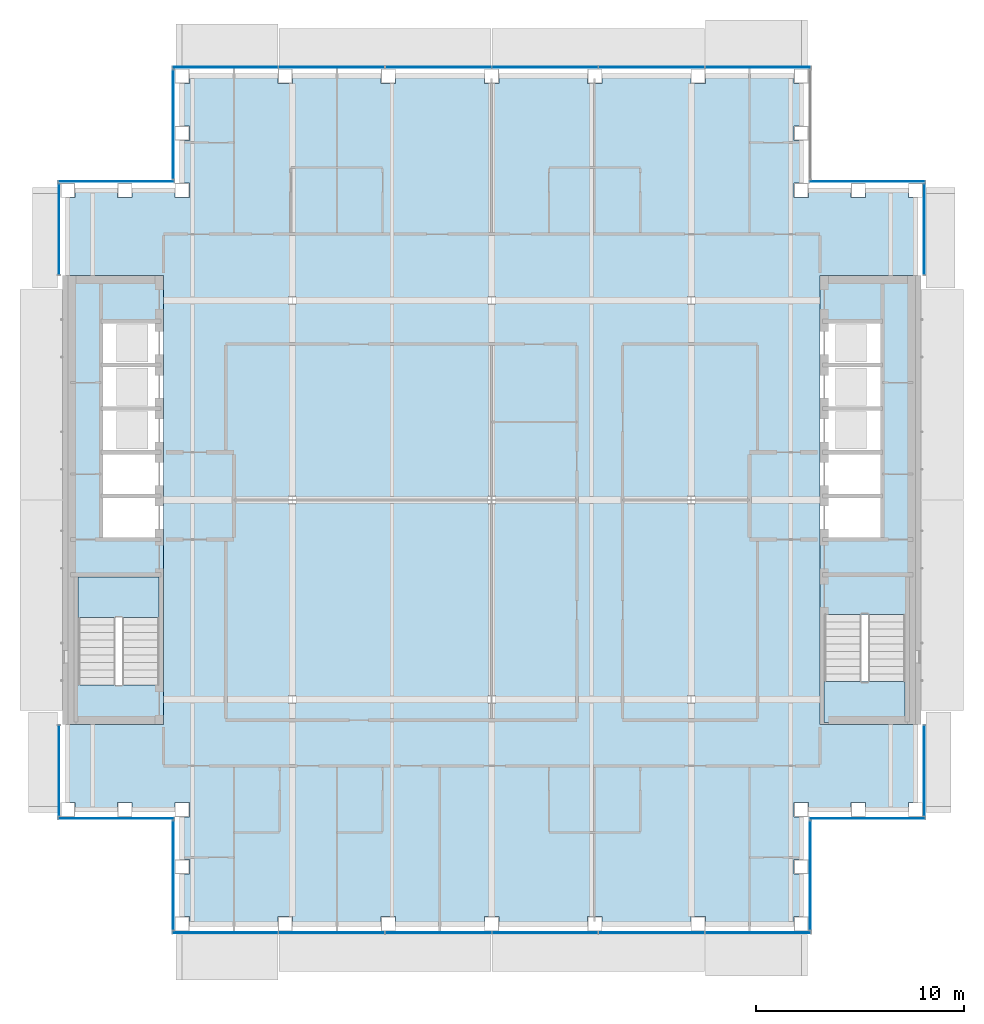
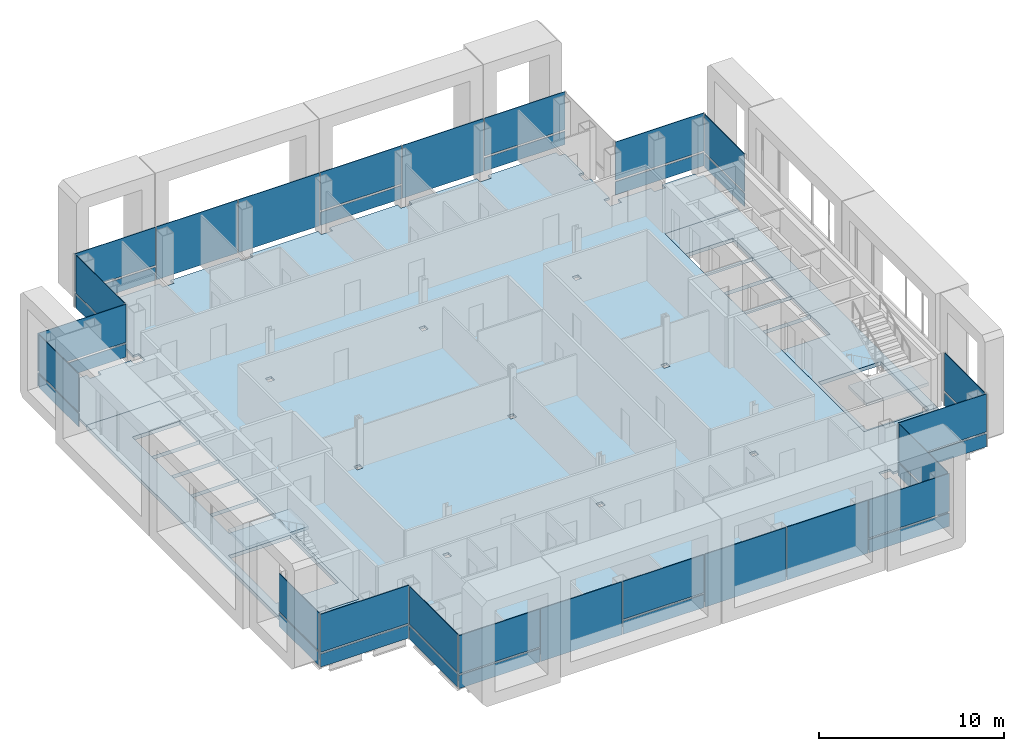
# One storey, part 8 of 19: 40 plates, 5 slabs, 15 elements without a shape of their own.
"""IFC4 building model written with IfcOpenShell, lengths in metres."""

from ifc_helpers import new_model, si_unit, direction, frame, origin, origin_2d, place, context, subcontext, project, spatial, polyline, rectangle, outline, extrude, material, layer, layer_set, type_object, element, aggregate, save


model = new_model("IFC4")

# Units and contexts
model_context = context("Model", 3, precision=1e-05, world=origin(), true_north=direction((0.0, 1.0)))
body_context = subcontext(model_context, "Body", "Model", "MODEL_VIEW")
ifc_project = project(units=[si_unit("LENGTHUNIT", "METRE"), si_unit("AREAUNIT", "SQUARE_METRE"), si_unit("VOLUMEUNIT", "CUBIC_METRE"), si_unit("PLANEANGLEUNIT", "RADIAN"), si_unit("MASSUNIT", "GRAM", prefix="KILO")], contexts=[model_context])

# Site, building, storey
site_placement = place(None, origin())
site = spatial("IfcSite", under=ifc_project, at=site_placement, CompositionType="ELEMENT")
building_placement = place(site_placement, origin())
building = spatial("IfcBuilding", under=site, at=building_placement, Name="Cobrizo Arcos Hotel Tower", CompositionType="ELEMENT")
storey_placement = place(building_placement, frame((0.0, 0.0, 198.0)))
storey = spatial("IfcBuildingStorey", under=building, at=storey_placement, Name="L51", CompositionType="ELEMENT", Elevation=198.0)

# Curtain wall, plates
ifc_material_1 = material(Name="Aluminium 6063-T6 anodised bronze", Category="aluminium")
curtain_wall_type = type_object("IfcCurtainWallType", Name="CW-A guest facade", PredefinedType="NOTDEFINED", material=ifc_material_1)
curtain_wall_1_placement = place(storey_placement, origin())
curtain_wall_1 = element("IfcCurtainWall", 1, at=curtain_wall_1_placement, inside=storey, type_object=curtain_wall_type, Name="CW-A L51 S face", PredefinedType="NOTDEFINED")
ifc_material_2 = material(Name="Glass clear laminated low-e", Category="glass")
ifc_layer_1 = layer(ifc_material_2, 0.0400390625)
ifc_layer_set_1 = layer_set([ifc_layer_1], Name="CW-A glass panel")
plate_type_1 = type_object("IfcPlateType", Name="CW-A glass panel", PredefinedType="CURTAIN_PANEL", material=ifc_layer_set_1)
plate_1_placement = place(storey_placement, frame((-12.818359375, -20.824951171875, 0.990234375), z_axis=(0.0, 0.0, 1.0), x_axis=(1.0, 0.0, 0.0)))
plate_1 = element("IfcPlate", 2, at=plate_1_placement, type_object=plate_type_1, Name="CW-A glass panel 1744", PredefinedType="CURTAIN_PANEL", context=body_context, shape_type="SweptSolid", body=[
    extrude(rectangle(XDim=5.043212890625, YDim=0.0400390625, at=origin_2d()), origin(), (0.0, 0.0, 1.0), 2.510009765625),
])
plate_2_placement = place(storey_placement, frame((-2.566650390625, -20.824951171875, 0.990234375), z_axis=(0.0, 0.0, 1.0), x_axis=(1.0, 0.0, 0.0)))
plate_2 = element("IfcPlate", 3, at=plate_2_placement, type_object=plate_type_1, Name="CW-A glass panel 1746", PredefinedType="CURTAIN_PANEL", context=body_context, shape_type="SweptSolid", body=[
    extrude(rectangle(XDim=5.0732421875, YDim=0.0400390625, at=origin_2d()), origin(), (0.0, 0.0, 1.0), 2.510009765625),
])
plate_3_placement = place(storey_placement, frame((12.818359375, -20.824951171875, 0.990234375), z_axis=(0.0, 0.0, 1.0), x_axis=(1.0, 0.0, 0.0)))
plate_3 = element("IfcPlate", 4, at=plate_3_placement, type_object=plate_type_1, Name="CW-A glass panel 1749", PredefinedType="CURTAIN_PANEL", context=body_context, shape_type="SweptSolid", body=[
    extrude(rectangle(XDim=5.043212890625, YDim=0.0400390625, at=origin_2d()), origin(), (0.0, 0.0, 1.0), 2.510009765625),
])

# Curtain wall, plate
curtain_wall_2_placement = place(storey_placement, origin())
curtain_wall_2 = element("IfcCurtainWall", 5, at=curtain_wall_2_placement, inside=storey, type_object=curtain_wall_type, Name="CW-A L51 E face", PredefinedType="NOTDEFINED")
plate_4_placement = place(storey_placement, frame((15.324951171875, -18.074951171875, 0.990234375), z_axis=(0.0, 0.0, 1.0), x_axis=(0.0, 1.0, 0.0)))
plate_4 = element("IfcPlate", 6, at=plate_4_placement, type_object=plate_type_1, Name="CW-A glass panel 1750", PredefinedType="CURTAIN_PANEL", context=body_context, shape_type="SweptSolid", body=[
    extrude(rectangle(XDim=5.22998046875, YDim=0.0400390625, at=origin_2d()), origin(), (0.0, 0.0, 1.0), 2.510009765625),
])

curtain_wall_3_placement = place(storey_placement, origin())
curtain_wall_3 = element("IfcCurtainWall", 7, at=curtain_wall_3_placement, inside=storey, type_object=curtain_wall_type, Name="CW-A L51 S face", PredefinedType="NOTDEFINED")
plate_5_placement = place(storey_placement, frame((18.074951171875, -15.324951171875, 0.990234375), z_axis=(0.0, 0.0, 1.0), x_axis=(1.0, 0.0, 0.0)))
plate_5 = element("IfcPlate", 8, at=plate_5_placement, type_object=plate_type_1, Name="CW-A glass panel 1751", PredefinedType="CURTAIN_PANEL", context=body_context, shape_type="SweptSolid", body=[
    extrude(rectangle(XDim=5.530029296875, YDim=0.0400390625, at=origin_2d()), origin(), (0.0, 0.0, 1.0), 2.510009765625),
])

curtain_wall_4_placement = place(storey_placement, origin())
curtain_wall_4 = element("IfcCurtainWall", 9, at=curtain_wall_4_placement, inside=storey, type_object=curtain_wall_type, Name="CW-A L51 E face", PredefinedType="NOTDEFINED")
plate_6_placement = place(storey_placement, frame((20.824951171875, -13.02490234375, 0.990234375), z_axis=(0.0, 0.0, 1.0), x_axis=(0.0, 1.0, 0.0)))
plate_6 = element("IfcPlate", 10, at=plate_6_placement, type_object=plate_type_1, Name="CW-A glass panel 1752", PredefinedType="CURTAIN_PANEL", context=body_context, shape_type="SweptSolid", body=[
    extrude(rectangle(XDim=4.330078125, YDim=0.0400390625, at=origin_2d()), origin(), (0.0, 0.0, 1.0), 2.510009765625),
])

curtain_wall_5_placement = place(storey_placement, origin())
curtain_wall_5 = element("IfcCurtainWall", 11, at=curtain_wall_5_placement, inside=storey, type_object=curtain_wall_type, Name="CW-A L51 E face", PredefinedType="NOTDEFINED")
plate_7_placement = place(storey_placement, frame((20.824951171875, 13.02490234375, 0.990234375), z_axis=(0.0, 0.0, 1.0), x_axis=(0.0, 1.0, 0.0)))
plate_7 = element("IfcPlate", 12, at=plate_7_placement, type_object=plate_type_1, Name="CW-A glass panel 1753", PredefinedType="CURTAIN_PANEL", context=body_context, shape_type="SweptSolid", body=[
    extrude(rectangle(XDim=4.330078125, YDim=0.0400390625, at=origin_2d()), origin(), (0.0, 0.0, 1.0), 2.510009765625),
])

curtain_wall_6_placement = place(storey_placement, origin())
curtain_wall_6 = element("IfcCurtainWall", 13, at=curtain_wall_6_placement, inside=storey, type_object=curtain_wall_type, Name="CW-A L51 N face", PredefinedType="NOTDEFINED")
plate_8_placement = place(storey_placement, frame((18.074951171875, 15.324951171875, 0.990234375), z_axis=(0.0, 0.0, 1.0), x_axis=(-1.0, 0.0, 0.0)))
plate_8 = element("IfcPlate", 14, at=plate_8_placement, type_object=plate_type_1, Name="CW-A glass panel 1754", PredefinedType="CURTAIN_PANEL", context=body_context, shape_type="SweptSolid", body=[
    extrude(rectangle(XDim=5.530029296875, YDim=0.0400390625, at=origin_2d()), origin(), (0.0, 0.0, 1.0), 2.510009765625),
])

# Curtain wall, plates
curtain_wall_7_placement = place(storey_placement, origin())
curtain_wall_7 = element("IfcCurtainWall", 15, at=curtain_wall_7_placement, inside=storey, type_object=curtain_wall_type, Name="CW-A L51 N face", PredefinedType="NOTDEFINED")
plate_9_placement = place(storey_placement, frame((12.818359375, 20.824951171875, 0.990234375), z_axis=(0.0, 0.0, 1.0), x_axis=(-1.0, 0.0, 0.0)))
plate_9 = element("IfcPlate", 16, at=plate_9_placement, type_object=plate_type_1, Name="CW-A glass panel 1756", PredefinedType="CURTAIN_PANEL", context=body_context, shape_type="SweptSolid", body=[
    extrude(rectangle(XDim=5.043212890625, YDim=0.0400390625, at=origin_2d()), origin(), (0.0, 0.0, 1.0), 2.510009765625),
])
plate_10_placement = place(storey_placement, frame((2.566650390625, 20.824951171875, 0.990234375), z_axis=(0.0, 0.0, 1.0), x_axis=(-1.0, 0.0, 0.0)))
plate_10 = element("IfcPlate", 17, at=plate_10_placement, type_object=plate_type_1, Name="CW-A glass panel 1758", PredefinedType="CURTAIN_PANEL", context=body_context, shape_type="SweptSolid", body=[
    extrude(rectangle(XDim=5.0732421875, YDim=0.0400390625, at=origin_2d()), origin(), (0.0, 0.0, 1.0), 2.510009765625),
])
plate_11_placement = place(storey_placement, frame((-12.818359375, 20.824951171875, 0.990234375), z_axis=(0.0, 0.0, 1.0), x_axis=(-1.0, 0.0, 0.0)))
plate_11 = element("IfcPlate", 18, at=plate_11_placement, type_object=plate_type_1, Name="CW-A glass panel 1761", PredefinedType="CURTAIN_PANEL", context=body_context, shape_type="SweptSolid", body=[
    extrude(rectangle(XDim=5.043212890625, YDim=0.0400390625, at=origin_2d()), origin(), (0.0, 0.0, 1.0), 2.510009765625),
])

# Curtain wall, plate
curtain_wall_8_placement = place(storey_placement, origin())
curtain_wall_8 = element("IfcCurtainWall", 19, at=curtain_wall_8_placement, inside=storey, type_object=curtain_wall_type, Name="CW-A L51 W face", PredefinedType="NOTDEFINED")
plate_12_placement = place(storey_placement, frame((-15.324951171875, 18.074951171875, 0.990234375), z_axis=(0.0, 0.0, 1.0), x_axis=(0.0, -1.0, 0.0)))
plate_12 = element("IfcPlate", 20, at=plate_12_placement, type_object=plate_type_1, Name="CW-A glass panel 1762", PredefinedType="CURTAIN_PANEL", context=body_context, shape_type="SweptSolid", body=[
    extrude(rectangle(XDim=5.22998046875, YDim=0.0400390625, at=origin_2d()), origin(), (0.0, 0.0, 1.0), 2.510009765625),
])

curtain_wall_9_placement = place(storey_placement, origin())
curtain_wall_9 = element("IfcCurtainWall", 21, at=curtain_wall_9_placement, inside=storey, type_object=curtain_wall_type, Name="CW-A L51 N face", PredefinedType="NOTDEFINED")
plate_13_placement = place(storey_placement, frame((-18.074951171875, 15.324951171875, 0.990234375), z_axis=(0.0, 0.0, 1.0), x_axis=(-1.0, 0.0, 0.0)))
plate_13 = element("IfcPlate", 22, at=plate_13_placement, type_object=plate_type_1, Name="CW-A glass panel 1763", PredefinedType="CURTAIN_PANEL", context=body_context, shape_type="SweptSolid", body=[
    extrude(rectangle(XDim=5.530029296875, YDim=0.0400390625, at=origin_2d()), origin(), (0.0, 0.0, 1.0), 2.510009765625),
])

curtain_wall_10_placement = place(storey_placement, origin())
curtain_wall_10 = element("IfcCurtainWall", 23, at=curtain_wall_10_placement, inside=storey, type_object=curtain_wall_type, Name="CW-A L51 W face", PredefinedType="NOTDEFINED")
plate_14_placement = place(storey_placement, frame((-20.824951171875, 13.02490234375, 0.990234375), z_axis=(0.0, 0.0, 1.0), x_axis=(0.0, -1.0, 0.0)))
plate_14 = element("IfcPlate", 24, at=plate_14_placement, type_object=plate_type_1, Name="CW-A glass panel 1764", PredefinedType="CURTAIN_PANEL", context=body_context, shape_type="SweptSolid", body=[
    extrude(rectangle(XDim=4.330078125, YDim=0.0400390625, at=origin_2d()), origin(), (0.0, 0.0, 1.0), 2.510009765625),
])

curtain_wall_11_placement = place(storey_placement, origin())
curtain_wall_11 = element("IfcCurtainWall", 25, at=curtain_wall_11_placement, inside=storey, type_object=curtain_wall_type, Name="CW-A L51 W face", PredefinedType="NOTDEFINED")
plate_15_placement = place(storey_placement, frame((-20.824951171875, -13.02490234375, 0.990234375), z_axis=(0.0, 0.0, 1.0), x_axis=(0.0, -1.0, 0.0)))
plate_15 = element("IfcPlate", 26, at=plate_15_placement, type_object=plate_type_1, Name="CW-A glass panel 1765", PredefinedType="CURTAIN_PANEL", context=body_context, shape_type="SweptSolid", body=[
    extrude(rectangle(XDim=4.330078125, YDim=0.0400390625, at=origin_2d()), origin(), (0.0, 0.0, 1.0), 2.510009765625),
])

curtain_wall_12_placement = place(storey_placement, origin())
curtain_wall_12 = element("IfcCurtainWall", 27, at=curtain_wall_12_placement, inside=storey, type_object=curtain_wall_type, Name="CW-A L51 S face", PredefinedType="NOTDEFINED")
plate_16_placement = place(storey_placement, frame((-18.074951171875, -15.324951171875, 0.990234375), z_axis=(0.0, 0.0, 1.0), x_axis=(1.0, 0.0, 0.0)))
plate_16 = element("IfcPlate", 28, at=plate_16_placement, type_object=plate_type_1, Name="CW-A glass panel 1766", PredefinedType="CURTAIN_PANEL", context=body_context, shape_type="SweptSolid", body=[
    extrude(rectangle(XDim=5.530029296875, YDim=0.0400390625, at=origin_2d()), origin(), (0.0, 0.0, 1.0), 2.510009765625),
])

curtain_wall_13_placement = place(storey_placement, origin())
curtain_wall_13 = element("IfcCurtainWall", 29, at=curtain_wall_13_placement, inside=storey, type_object=curtain_wall_type, Name="CW-A L51 W face", PredefinedType="NOTDEFINED")
plate_17_placement = place(storey_placement, frame((-15.324951171875, -18.074951171875, 0.990234375), z_axis=(0.0, 0.0, 1.0), x_axis=(0.0, -1.0, 0.0)))
plate_17 = element("IfcPlate", 30, at=plate_17_placement, type_object=plate_type_1, Name="CW-A glass panel 1767", PredefinedType="CURTAIN_PANEL", context=body_context, shape_type="SweptSolid", body=[
    extrude(rectangle(XDim=5.22998046875, YDim=0.0400390625, at=origin_2d()), origin(), (0.0, 0.0, 1.0), 2.510009765625),
])

# Plate
ifc_material_3 = material(Name="Aluminium composite panel pale metal", Category="aluminium")
ifc_layer_2 = layer(ifc_material_3, 0.0400390625)
ifc_layer_set_2 = layer_set([ifc_layer_2], Name="CW-A spandrel panel")
plate_type_2 = type_object("IfcPlateType", Name="CW-A spandrel panel", PredefinedType="CURTAIN_PANEL", material=ifc_layer_set_2)
plate_18_placement = place(storey_placement, frame((-12.818359375, -20.824951171875, 0.0), z_axis=(0.0, 0.0, 1.0), x_axis=(1.0, 0.0, 0.0)))
plate_18 = element("IfcPlate", 31, at=plate_18_placement, type_object=plate_type_2, Name="CW-A spandrel panel 1744", PredefinedType="CURTAIN_PANEL", context=body_context, shape_type="SweptSolid", body=[
    extrude(rectangle(XDim=5.043212890625, YDim=0.0400390625, at=origin_2d()), origin(), (0.0, 0.0, 1.0), 0.8701171875),
])

plate_19_placement = place(storey_placement, frame((-7.699951171875, -20.824951171875, 0.0), z_axis=(0.0, 0.0, 1.0), x_axis=(1.0, 0.0, 0.0)))
plate_19 = element("IfcPlate", 32, at=plate_19_placement, type_object=plate_type_2, Name="CW-A spandrel panel 1745", PredefinedType="CURTAIN_PANEL", context=body_context, shape_type="SweptSolid", body=[
    extrude(rectangle(XDim=5.0732421875, YDim=0.0400390625, at=origin_2d()), origin(), (0.0, 0.0, 1.0), 3.5),
])

plate_20_placement = place(storey_placement, frame((-2.566650390625, -20.824951171875, 0.0), z_axis=(0.0, 0.0, 1.0), x_axis=(1.0, 0.0, 0.0)))
plate_20 = element("IfcPlate", 33, at=plate_20_placement, type_object=plate_type_2, Name="CW-A spandrel panel 1746", PredefinedType="CURTAIN_PANEL", context=body_context, shape_type="SweptSolid", body=[
    extrude(rectangle(XDim=5.0732421875, YDim=0.0400390625, at=origin_2d()), origin(), (0.0, 0.0, 1.0), 0.8701171875),
])

plate_21_placement = place(storey_placement, frame((2.566650390625, -20.824951171875, 0.0), z_axis=(0.0, 0.0, 1.0), x_axis=(1.0, 0.0, 0.0)))
plate_21 = element("IfcPlate", 34, at=plate_21_placement, type_object=plate_type_2, Name="CW-A spandrel panel 1747", PredefinedType="CURTAIN_PANEL", context=body_context, shape_type="SweptSolid", body=[
    extrude(rectangle(XDim=5.0732421875, YDim=0.0400390625, at=origin_2d()), origin(), (0.0, 0.0, 1.0), 3.5),
])

plate_22_placement = place(storey_placement, frame((7.699951171875, -20.824951171875, 0.0), z_axis=(0.0, 0.0, 1.0), x_axis=(1.0, 0.0, 0.0)))
plate_22 = element("IfcPlate", 35, at=plate_22_placement, type_object=plate_type_2, Name="CW-A spandrel panel 1748", PredefinedType="CURTAIN_PANEL", context=body_context, shape_type="SweptSolid", body=[
    extrude(rectangle(XDim=5.0732421875, YDim=0.0400390625, at=origin_2d()), origin(), (0.0, 0.0, 1.0), 3.5),
])

plate_23_placement = place(storey_placement, frame((12.818359375, -20.824951171875, 0.0), z_axis=(0.0, 0.0, 1.0), x_axis=(1.0, 0.0, 0.0)))
plate_23 = element("IfcPlate", 36, at=plate_23_placement, type_object=plate_type_2, Name="CW-A spandrel panel 1749", PredefinedType="CURTAIN_PANEL", context=body_context, shape_type="SweptSolid", body=[
    extrude(rectangle(XDim=5.043212890625, YDim=0.0400390625, at=origin_2d()), origin(), (0.0, 0.0, 1.0), 0.8701171875),
])

aggregate(curtain_wall_1, [plate_18, plate_1, plate_19, plate_20, plate_2, plate_21, plate_22, plate_23, plate_3])

plate_24_placement = place(storey_placement, frame((15.324951171875, -18.074951171875, 0.0), z_axis=(0.0, 0.0, 1.0), x_axis=(0.0, 1.0, 0.0)))
plate_24 = element("IfcPlate", 37, at=plate_24_placement, type_object=plate_type_2, Name="CW-A spandrel panel 1750", PredefinedType="CURTAIN_PANEL", context=body_context, shape_type="SweptSolid", body=[
    extrude(rectangle(XDim=5.22998046875, YDim=0.0400390625, at=origin_2d()), origin(), (0.0, 0.0, 1.0), 0.8701171875),
])

aggregate(curtain_wall_2, [plate_24, plate_4])

plate_25_placement = place(storey_placement, frame((18.074951171875, -15.324951171875, 0.0), z_axis=(0.0, 0.0, 1.0), x_axis=(1.0, 0.0, 0.0)))
plate_25 = element("IfcPlate", 38, at=plate_25_placement, type_object=plate_type_2, Name="CW-A spandrel panel 1751", PredefinedType="CURTAIN_PANEL", context=body_context, shape_type="SweptSolid", body=[
    extrude(rectangle(XDim=5.530029296875, YDim=0.0400390625, at=origin_2d()), origin(), (0.0, 0.0, 1.0), 0.8701171875),
])

aggregate(curtain_wall_3, [plate_25, plate_5])

plate_26_placement = place(storey_placement, frame((20.824951171875, -13.02490234375, 0.0), z_axis=(0.0, 0.0, 1.0), x_axis=(0.0, 1.0, 0.0)))
plate_26 = element("IfcPlate", 39, at=plate_26_placement, type_object=plate_type_2, Name="CW-A spandrel panel 1752", PredefinedType="CURTAIN_PANEL", context=body_context, shape_type="SweptSolid", body=[
    extrude(rectangle(XDim=4.330078125, YDim=0.0400390625, at=origin_2d()), origin(), (0.0, 0.0, 1.0), 0.8701171875),
])

aggregate(curtain_wall_4, [plate_26, plate_6])

plate_27_placement = place(storey_placement, frame((20.824951171875, 13.02490234375, 0.0), z_axis=(0.0, 0.0, 1.0), x_axis=(0.0, 1.0, 0.0)))
plate_27 = element("IfcPlate", 40, at=plate_27_placement, type_object=plate_type_2, Name="CW-A spandrel panel 1753", PredefinedType="CURTAIN_PANEL", context=body_context, shape_type="SweptSolid", body=[
    extrude(rectangle(XDim=4.330078125, YDim=0.0400390625, at=origin_2d()), origin(), (0.0, 0.0, 1.0), 0.8701171875),
])

aggregate(curtain_wall_5, [plate_27, plate_7])

plate_28_placement = place(storey_placement, frame((18.074951171875, 15.324951171875, 0.0), z_axis=(0.0, 0.0, 1.0), x_axis=(-1.0, 0.0, 0.0)))
plate_28 = element("IfcPlate", 41, at=plate_28_placement, type_object=plate_type_2, Name="CW-A spandrel panel 1754", PredefinedType="CURTAIN_PANEL", context=body_context, shape_type="SweptSolid", body=[
    extrude(rectangle(XDim=5.530029296875, YDim=0.0400390625, at=origin_2d()), origin(), (0.0, 0.0, 1.0), 0.8701171875),
])

aggregate(curtain_wall_6, [plate_28, plate_8])

plate_29_placement = place(storey_placement, frame((12.818359375, 20.824951171875, 0.0), z_axis=(0.0, 0.0, 1.0), x_axis=(-1.0, 0.0, 0.0)))
plate_29 = element("IfcPlate", 42, at=plate_29_placement, type_object=plate_type_2, Name="CW-A spandrel panel 1756", PredefinedType="CURTAIN_PANEL", context=body_context, shape_type="SweptSolid", body=[
    extrude(rectangle(XDim=5.043212890625, YDim=0.0400390625, at=origin_2d()), origin(), (0.0, 0.0, 1.0), 0.8701171875),
])

plate_30_placement = place(storey_placement, frame((7.699951171875, 20.824951171875, 0.0), z_axis=(0.0, 0.0, 1.0), x_axis=(-1.0, 0.0, 0.0)))
plate_30 = element("IfcPlate", 43, at=plate_30_placement, type_object=plate_type_2, Name="CW-A spandrel panel 1757", PredefinedType="CURTAIN_PANEL", context=body_context, shape_type="SweptSolid", body=[
    extrude(rectangle(XDim=5.0732421875, YDim=0.0400390625, at=origin_2d()), origin(), (0.0, 0.0, 1.0), 3.5),
])

plate_31_placement = place(storey_placement, frame((2.566650390625, 20.824951171875, 0.0), z_axis=(0.0, 0.0, 1.0), x_axis=(-1.0, 0.0, 0.0)))
plate_31 = element("IfcPlate", 44, at=plate_31_placement, type_object=plate_type_2, Name="CW-A spandrel panel 1758", PredefinedType="CURTAIN_PANEL", context=body_context, shape_type="SweptSolid", body=[
    extrude(rectangle(XDim=5.0732421875, YDim=0.0400390625, at=origin_2d()), origin(), (0.0, 0.0, 1.0), 0.8701171875),
])

plate_32_placement = place(storey_placement, frame((-2.566650390625, 20.824951171875, 0.0), z_axis=(0.0, 0.0, 1.0), x_axis=(-1.0, 0.0, 0.0)))
plate_32 = element("IfcPlate", 45, at=plate_32_placement, type_object=plate_type_2, Name="CW-A spandrel panel 1759", PredefinedType="CURTAIN_PANEL", context=body_context, shape_type="SweptSolid", body=[
    extrude(rectangle(XDim=5.0732421875, YDim=0.0400390625, at=origin_2d()), origin(), (0.0, 0.0, 1.0), 3.5),
])

plate_33_placement = place(storey_placement, frame((-7.699951171875, 20.824951171875, 0.0), z_axis=(0.0, 0.0, 1.0), x_axis=(-1.0, 0.0, 0.0)))
plate_33 = element("IfcPlate", 46, at=plate_33_placement, type_object=plate_type_2, Name="CW-A spandrel panel 1760", PredefinedType="CURTAIN_PANEL", context=body_context, shape_type="SweptSolid", body=[
    extrude(rectangle(XDim=5.0732421875, YDim=0.0400390625, at=origin_2d()), origin(), (0.0, 0.0, 1.0), 3.5),
])

plate_34_placement = place(storey_placement, frame((-12.818359375, 20.824951171875, 0.0), z_axis=(0.0, 0.0, 1.0), x_axis=(-1.0, 0.0, 0.0)))
plate_34 = element("IfcPlate", 47, at=plate_34_placement, type_object=plate_type_2, Name="CW-A spandrel panel 1761", PredefinedType="CURTAIN_PANEL", context=body_context, shape_type="SweptSolid", body=[
    extrude(rectangle(XDim=5.043212890625, YDim=0.0400390625, at=origin_2d()), origin(), (0.0, 0.0, 1.0), 0.8701171875),
])

aggregate(curtain_wall_7, [plate_29, plate_9, plate_30, plate_31, plate_10, plate_32, plate_33, plate_34, plate_11])

plate_35_placement = place(storey_placement, frame((-15.324951171875, 18.074951171875, 0.0), z_axis=(0.0, 0.0, 1.0), x_axis=(0.0, -1.0, 0.0)))
plate_35 = element("IfcPlate", 48, at=plate_35_placement, type_object=plate_type_2, Name="CW-A spandrel panel 1762", PredefinedType="CURTAIN_PANEL", context=body_context, shape_type="SweptSolid", body=[
    extrude(rectangle(XDim=5.22998046875, YDim=0.0400390625, at=origin_2d()), origin(), (0.0, 0.0, 1.0), 0.8701171875),
])

aggregate(curtain_wall_8, [plate_35, plate_12])

plate_36_placement = place(storey_placement, frame((-18.074951171875, 15.324951171875, 0.0), z_axis=(0.0, 0.0, 1.0), x_axis=(-1.0, 0.0, 0.0)))
plate_36 = element("IfcPlate", 49, at=plate_36_placement, type_object=plate_type_2, Name="CW-A spandrel panel 1763", PredefinedType="CURTAIN_PANEL", context=body_context, shape_type="SweptSolid", body=[
    extrude(rectangle(XDim=5.530029296875, YDim=0.0400390625, at=origin_2d()), origin(), (0.0, 0.0, 1.0), 0.8701171875),
])

aggregate(curtain_wall_9, [plate_36, plate_13])

plate_37_placement = place(storey_placement, frame((-20.824951171875, 13.02490234375, 0.0), z_axis=(0.0, 0.0, 1.0), x_axis=(0.0, -1.0, 0.0)))
plate_37 = element("IfcPlate", 50, at=plate_37_placement, type_object=plate_type_2, Name="CW-A spandrel panel 1764", PredefinedType="CURTAIN_PANEL", context=body_context, shape_type="SweptSolid", body=[
    extrude(rectangle(XDim=4.330078125, YDim=0.0400390625, at=origin_2d()), origin(), (0.0, 0.0, 1.0), 0.8701171875),
])

aggregate(curtain_wall_10, [plate_37, plate_14])

plate_38_placement = place(storey_placement, frame((-20.824951171875, -13.02490234375, 0.0), z_axis=(0.0, 0.0, 1.0), x_axis=(0.0, -1.0, 0.0)))
plate_38 = element("IfcPlate", 51, at=plate_38_placement, type_object=plate_type_2, Name="CW-A spandrel panel 1765", PredefinedType="CURTAIN_PANEL", context=body_context, shape_type="SweptSolid", body=[
    extrude(rectangle(XDim=4.330078125, YDim=0.0400390625, at=origin_2d()), origin(), (0.0, 0.0, 1.0), 0.8701171875),
])

aggregate(curtain_wall_11, [plate_38, plate_15])

plate_39_placement = place(storey_placement, frame((-18.074951171875, -15.324951171875, 0.0), z_axis=(0.0, 0.0, 1.0), x_axis=(1.0, 0.0, 0.0)))
plate_39 = element("IfcPlate", 52, at=plate_39_placement, type_object=plate_type_2, Name="CW-A spandrel panel 1766", PredefinedType="CURTAIN_PANEL", context=body_context, shape_type="SweptSolid", body=[
    extrude(rectangle(XDim=5.530029296875, YDim=0.0400390625, at=origin_2d()), origin(), (0.0, 0.0, 1.0), 0.8701171875),
])

aggregate(curtain_wall_12, [plate_39, plate_16])

plate_40_placement = place(storey_placement, frame((-15.324951171875, -18.074951171875, 0.0), z_axis=(0.0, 0.0, 1.0), x_axis=(0.0, -1.0, 0.0)))
plate_40 = element("IfcPlate", 53, at=plate_40_placement, type_object=plate_type_2, Name="CW-A spandrel panel 1767", PredefinedType="CURTAIN_PANEL", context=body_context, shape_type="SweptSolid", body=[
    extrude(rectangle(XDim=5.22998046875, YDim=0.0400390625, at=origin_2d()), origin(), (0.0, 0.0, 1.0), 0.8701171875),
])

aggregate(curtain_wall_13, [plate_40, plate_17])

# Slabs
ifc_material_4 = material(Name="Concrete f'c 35 MPa", Category="concrete")
ifc_layer_3 = layer(ifc_material_4, 0.14990234375)
ifc_layer_set_3 = layer_set([ifc_layer_3], Name="Composite floor slab 150 f'c 35")
slab_type_1 = type_object("IfcSlabType", Name="Composite floor slab 150 f'c 35", PredefinedType="FLOOR", material=ifc_layer_set_3)
slab_1_placement = place(storey_placement, frame((0.0, 0.0, -0.14990234375)))
element("IfcSlab", 54, at=slab_1_placement, inside=storey, type_object=slab_type_1, Name="Floor slab S5, L51, no. 01", PredefinedType="FLOOR", context=body_context, shape_type="SweptSolid", body=[
    extrude(outline(polyline([(-14.550048828125, -20.39990234375), (-14.550048828125, -20.050048828125), (-14.89990234375, -20.050048828125), (-14.89990234375, -18.0), (-14.550048828125, -18.0), (-14.550048828125, -17.300048828125), (-14.89990234375, -17.300048828125), (-14.89990234375, -15.25), (-14.550048828125, -15.25), (-14.550048828125, -14.550048828125), (-15.25, -14.550048828125), (-15.25, -14.89990234375), (-17.300048828125, -14.89990234375), (-17.300048828125, -14.550048828125), (-18.0, -14.550048828125), (-18.0, -14.89990234375), (-20.050048828125, -14.89990234375), (-20.050048828125, -14.550048828125), (-20.39990234375, -14.550048828125), (-20.39990234375, -10.800048828125), (-15.800048828125, -10.800048828125), (-15.800048828125, 10.800048828125), (-20.39990234375, 10.800048828125), (-20.39990234375, 14.550048828125), (-20.050048828125, 14.550048828125), (-20.050048828125, 14.89990234375), (-18.0, 14.89990234375), (-18.0, 14.550048828125), (-17.300048828125, 14.550048828125), (-17.300048828125, 14.89990234375), (-15.25, 14.89990234375), (-15.25, 14.550048828125), (-14.550048828125, 14.550048828125), (-14.550048828125, 15.25), (-14.89990234375, 15.25), (-14.89990234375, 17.300048828125), (-14.550048828125, 17.300048828125), (-14.550048828125, 18.0), (-14.89990234375, 18.0), (-14.89990234375, 20.050048828125), (-14.550048828125, 20.050048828125), (-14.550048828125, 20.39990234375), (-10.282958984375, 20.39990234375), (-10.282958984375, 20.050048828125), (-9.5830078125, 20.050048828125), (-9.5830078125, 20.39990234375), (-5.31689453125, 20.39990234375), (-5.31689453125, 20.050048828125), (-4.616943359375, 20.050048828125), (-4.616943359375, 20.39990234375), (-0.35009765625, 20.39990234375), (-0.35009765625, 20.050048828125), (0.35009765625, 20.050048828125), (0.35009765625, 20.39990234375), (4.616943359375, 20.39990234375), (4.616943359375, 20.050048828125), (5.31689453125, 20.050048828125), (5.31689453125, 20.39990234375), (9.5830078125, 20.39990234375), (9.5830078125, 20.050048828125), (10.282958984375, 20.050048828125), (10.282958984375, 20.39990234375), (14.550048828125, 20.39990234375), (14.550048828125, 20.050048828125), (14.89990234375, 20.050048828125), (14.89990234375, 18.0), (14.550048828125, 18.0), (14.550048828125, 17.300048828125), (14.89990234375, 17.300048828125), (14.89990234375, 15.25), (14.550048828125, 15.25), (14.550048828125, 14.550048828125), (15.25, 14.550048828125), (15.25, 14.89990234375), (17.300048828125, 14.89990234375), (17.300048828125, 14.550048828125), (18.0, 14.550048828125), (18.0, 14.89990234375), (20.050048828125, 14.89990234375), (20.050048828125, 14.550048828125), (20.39990234375, 14.550048828125), (20.39990234375, 10.800048828125), (15.800048828125, 10.800048828125), (15.800048828125, -10.800048828125), (20.39990234375, -10.800048828125), (20.39990234375, -14.550048828125), (20.050048828125, -14.550048828125), (20.050048828125, -14.89990234375), (18.0, -14.89990234375), (18.0, -14.550048828125), (17.300048828125, -14.550048828125), (17.300048828125, -14.89990234375), (15.25, -14.89990234375), (15.25, -14.550048828125), (14.550048828125, -14.550048828125), (14.550048828125, -15.25), (14.89990234375, -15.25), (14.89990234375, -17.300048828125), (14.550048828125, -17.300048828125), (14.550048828125, -18.0), (14.89990234375, -18.0), (14.89990234375, -20.050048828125), (14.550048828125, -20.050048828125), (14.550048828125, -20.39990234375), (10.282958984375, -20.39990234375), (10.282958984375, -20.050048828125), (9.5830078125, -20.050048828125), (9.5830078125, -20.39990234375), (5.31689453125, -20.39990234375), (5.31689453125, -20.050048828125), (4.616943359375, -20.050048828125), (4.616943359375, -20.39990234375), (0.35009765625, -20.39990234375), (0.35009765625, -20.050048828125), (-0.35009765625, -20.050048828125), (-0.35009765625, -20.39990234375), (-4.616943359375, -20.39990234375), (-4.616943359375, -20.050048828125), (-5.31689453125, -20.050048828125), (-5.31689453125, -20.39990234375), (-9.5830078125, -20.39990234375), (-9.5830078125, -20.050048828125), (-10.282958984375, -20.050048828125), (-10.282958984375, -20.39990234375), (-14.550048828125, -20.39990234375)]), holes=[polyline([(-9.413330078125, -9.78662109375), (-9.413330078125, -9.413330078125), (-9.78662109375, -9.413330078125), (-9.78662109375, -9.78662109375), (-9.413330078125, -9.78662109375)]), polyline([(0.186767578125, -9.78662109375), (0.186767578125, -9.413330078125), (-0.186767578125, -9.413330078125), (-0.186767578125, -9.78662109375), (0.186767578125, -9.78662109375)]), polyline([(9.413330078125, -9.78662109375), (9.78662109375, -9.78662109375), (9.78662109375, -9.413330078125), (9.413330078125, -9.413330078125), (9.413330078125, -9.78662109375)]), polyline([(-9.78662109375, -0.186767578125), (-9.413330078125, -0.186767578125), (-9.413330078125, 0.186767578125), (-9.78662109375, 0.186767578125), (-9.78662109375, -0.186767578125)]), polyline([(0.186767578125, -0.186767578125), (0.186767578125, 0.186767578125), (-0.186767578125, 0.186767578125), (-0.186767578125, -0.186767578125), (0.186767578125, -0.186767578125)]), polyline([(9.78662109375, -0.186767578125), (9.78662109375, 0.186767578125), (9.413330078125, 0.186767578125), (9.413330078125, -0.186767578125), (9.78662109375, -0.186767578125)]), polyline([(-9.413330078125, 9.413330078125), (-9.413330078125, 9.78662109375), (-9.78662109375, 9.78662109375), (-9.78662109375, 9.413330078125), (-9.413330078125, 9.413330078125)]), polyline([(-0.186767578125, 9.413330078125), (0.186767578125, 9.413330078125), (0.186767578125, 9.78662109375), (-0.186767578125, 9.78662109375), (-0.186767578125, 9.413330078125)]), polyline([(9.413330078125, 9.413330078125), (9.78662109375, 9.413330078125), (9.78662109375, 9.78662109375), (9.413330078125, 9.78662109375), (9.413330078125, 9.413330078125)])]), origin(), (0.0, 0.0, 1.0), 0.14990234375),
])
ifc_material_5 = material(Name="Concrete f'c 40 MPa", Category="concrete")
ifc_layer_4 = layer(ifc_material_5, 0.25)
ifc_layer_set_4 = layer_set([ifc_layer_4], Name="RC core floor slab 250 f'c 40")
slab_type_2 = type_object("IfcSlabType", Name="RC core floor slab 250 f'c 40", PredefinedType="FLOOR", material=ifc_layer_set_4)
slab_2_placement = place(storey_placement, frame((0.0, 0.0, -0.25)))
element("IfcSlab", 55, at=slab_2_placement, inside=storey, type_object=slab_type_2, Name="Core floor slab CS7, east core, L51", PredefinedType="FLOOR", context=body_context, shape_type="SweptSolid", body=[
    extrude(outline(polyline([(15.800048828125, 10.800048828125), (20.39990234375, 10.800048828125), (20.39990234375, -10.800048828125), (15.800048828125, -10.800048828125), (15.800048828125, 10.800048828125)]), holes=[polyline([(19.89794921875, -10.697998046875), (19.89794921875, -5.501953125), (16.001953125, -5.501953125), (16.001953125, -10.697998046875), (19.89794921875, -10.697998046875)]), polyline([(15.802001953125, 0.197998046875), (15.802001953125, -1.89794921875), (18.798095703125, -1.89794921875), (18.798095703125, 0.197998046875), (15.802001953125, 0.197998046875)]), polyline([(15.802001953125, 2.298095703125), (15.802001953125, 0.201904296875), (18.798095703125, 0.201904296875), (18.798095703125, 2.298095703125), (15.802001953125, 2.298095703125)]), polyline([(15.802001953125, 4.39794921875), (15.802001953125, 2.302001953125), (18.798095703125, 2.302001953125), (18.798095703125, 4.39794921875), (15.802001953125, 4.39794921875)]), polyline([(18.798095703125, 6.498046875), (15.802001953125, 6.498046875), (15.802001953125, 4.402099609375), (18.798095703125, 4.402099609375), (18.798095703125, 6.498046875)]), polyline([(18.798095703125, 8.597900390625), (15.802001953125, 8.597900390625), (15.802001953125, 6.501953125), (18.798095703125, 6.501953125), (18.798095703125, 8.597900390625)])]), origin(), (0.0, 0.0, 1.0), 0.25),
])
slab_3_placement = place(storey_placement, frame((0.0, 0.0, -0.25)))
element("IfcSlab", 56, at=slab_3_placement, inside=storey, type_object=slab_type_2, Name="Core floor slab CS7, west core, L51", PredefinedType="FLOOR", context=body_context, shape_type="SweptSolid", body=[
    extrude(outline(polyline([(-20.39990234375, 10.800048828125), (-15.800048828125, 10.800048828125), (-15.800048828125, -10.800048828125), (-20.39990234375, -10.800048828125), (-20.39990234375, 10.800048828125)]), holes=[polyline([(-19.89794921875, -3.701904296875), (-19.89794921875, -8.89794921875), (-16.001953125, -8.89794921875), (-16.001953125, -3.701904296875), (-19.89794921875, -3.701904296875)]), polyline([(-18.798095703125, 0.197998046875), (-18.798095703125, -1.89794921875), (-15.802001953125, -1.89794921875), (-15.802001953125, 0.197998046875), (-18.798095703125, 0.197998046875)]), polyline([(-18.798095703125, 2.298095703125), (-18.798095703125, 0.201904296875), (-15.802001953125, 0.201904296875), (-15.802001953125, 2.298095703125), (-18.798095703125, 2.298095703125)]), polyline([(-18.798095703125, 4.39794921875), (-18.798095703125, 2.302001953125), (-15.802001953125, 2.302001953125), (-15.802001953125, 4.39794921875), (-18.798095703125, 4.39794921875)]), polyline([(-15.802001953125, 6.498046875), (-18.798095703125, 6.498046875), (-18.798095703125, 4.402099609375), (-15.802001953125, 4.402099609375), (-15.802001953125, 6.498046875)]), polyline([(-15.802001953125, 8.597900390625), (-18.798095703125, 8.597900390625), (-18.798095703125, 6.501953125), (-15.802001953125, 6.501953125), (-15.802001953125, 8.597900390625)])]), origin(), (0.0, 0.0, 1.0), 0.25),
])

# Stair, slab
stair_type = type_object("IfcStairType", Name="Exit stair", PredefinedType="HALF_TURN_STAIR", material=ifc_material_5)
stair_1_placement = place(storey_placement, origin())
stair_1 = element("IfcStair", 57, at=stair_1_placement, inside=storey, type_object=stair_type, Name="L51 Exit stair ST-W", PredefinedType="HALF_TURN_STAIR")
ifc_layer_5 = layer(ifc_material_5, 0.199951171875)
ifc_layer_set_5 = layer_set([ifc_layer_5], Name="Stair landing")
slab_type_3 = type_object("IfcSlabType", Name="Stair landing", PredefinedType="LANDING", material=ifc_layer_set_5)
slab_4_placement = place(storey_placement, frame((0.0, 0.0, 1.550048828125)))
slab_4 = element("IfcSlab", 58, at=slab_4_placement, type_object=slab_type_3, Name="ST-W landing 1", PredefinedType="LANDING", context=body_context, shape_type="SweptSolid", body=[
    extrude(outline(polyline([(-16.0, -5.659912109375), (-16.0, -3.699951171875), (-19.89990234375, -3.699951171875), (-19.89990234375, -5.659912109375), (-16.0, -5.659912109375)])), origin(), (0.0, 0.0, 1.0), 0.199951171875),
])
aggregate(stair_1, [slab_4])

stair_2_placement = place(storey_placement, origin())
stair_2 = element("IfcStair", 59, at=stair_2_placement, inside=storey, type_object=stair_type, Name="L51 Exit stair ST-E", PredefinedType="HALF_TURN_STAIR")
slab_5_placement = place(storey_placement, frame((0.0, 0.0, 1.550048828125)))
slab_5 = element("IfcSlab", 60, at=slab_5_placement, type_object=slab_type_3, Name="ST-E landing 1", PredefinedType="LANDING", context=body_context, shape_type="SweptSolid", body=[
    extrude(outline(polyline([(16.0, -8.739990234375), (16.0, -10.699951171875), (19.89990234375, -10.699951171875), (19.89990234375, -8.739990234375), (16.0, -8.739990234375)])), origin(), (0.0, 0.0, 1.0), 0.199951171875),
])
aggregate(stair_2, [slab_5])

save(model, "model.ifc")
